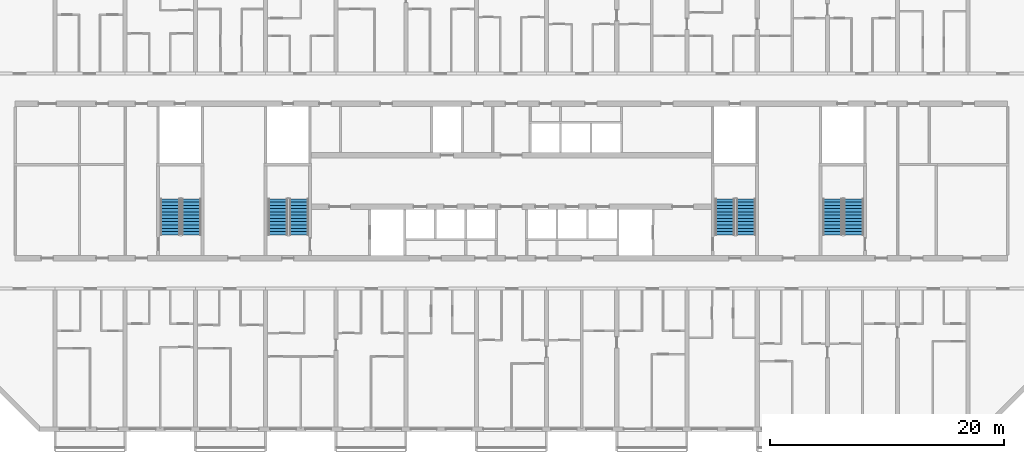
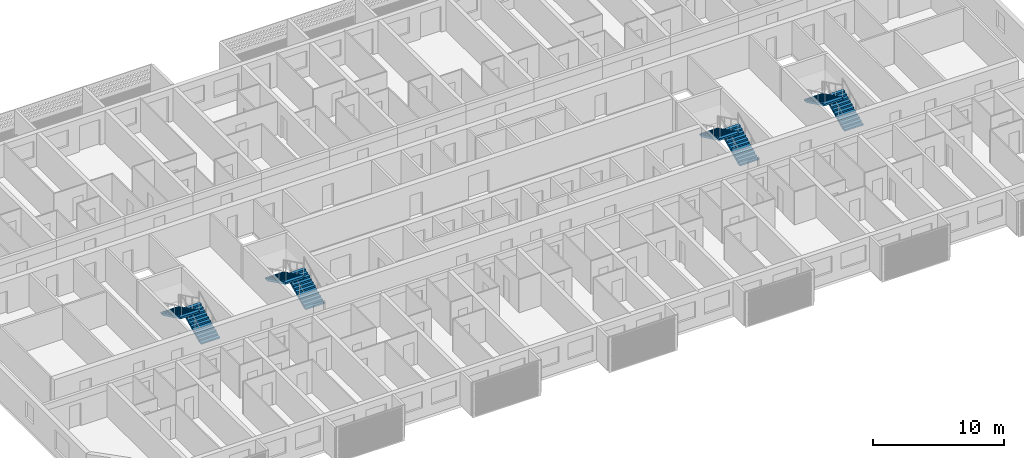
# One storey, part 16 of 27: 8 stair flights, 4 elements without a shape of their own.
"""IFC4 building model written with IfcOpenShell, lengths in metres."""

import ifcopenshell
import ifcopenshell.guid

model = None  # the IFC model being written
_history = None  # IfcOwnerHistory: only IFC2X3 demands one
_inside = {}  # id of a spatial element -> (the spatial element, [elements in it])
_under = {}  # id of a project, library or spatial element -> (it, [spatial elements below it])
_declared = {}  # id of a project -> (the project, [libraries it declares])
_typed = {}  # id of a type object -> (the type object, [elements of that type])
_made_of = {}  # id of a material, layer set ... -> (it, [elements and type objects made of it])


def new_model(schema):
    """Start an empty IFC model of exactly this schema.

    Asked for "IFC4X3", IfcOpenShell would pick the latest addendum, in which some entities
    have other attributes; the version numbers below select the first issue.
    IFC2X3 requires an IfcOwnerHistory on every rooted entity: one is made here for all.
    """
    global model, _history
    if schema == "IFC4X3":
        model = ifcopenshell.file(schema_version=(4, 3, 0, 0))
    else:
        model = ifcopenshell.file(schema=schema)
    _inside.clear()
    _under.clear()
    _declared.clear()
    _typed.clear()
    _made_of.clear()
    _history = None
    if model.schema == "IFC2X3":
        org = make("IfcOrganization", Name="unknown")
        user = make(
            "IfcPersonAndOrganization",
            ThePerson=make("IfcPerson", FamilyName="unknown"),
            TheOrganization=org,
        )
        app = make(
            "IfcApplication",
            ApplicationDeveloper=org,
            Version="unknown",
            ApplicationFullName="unknown",
            ApplicationIdentifier="unknown",
        )
        _history = make(
            "IfcOwnerHistory",
            OwningUser=user,
            OwningApplication=app,
            ChangeAction="ADDED",
            CreationDate=0,
        )
    return model


def make(cls, **values):
    """One entity of the class cls with the attributes given. An attribute that is None is left unset."""
    return model.create_entity(
        cls, **{name: value for name, value in values.items() if value is not None}
    )


def rooted(cls, **values):
    """An entity with a GlobalId (a new one), such as an element, a storey or a relation."""
    return make(cls, GlobalId=ifcopenshell.guid.new(), OwnerHistory=_history, **values)


def si_unit(unit_type, name, prefix=None):
    """IfcSIUnit, for example si_unit("LENGTHUNIT", "METRE", prefix="MILLI")."""
    return make("IfcSIUnit", UnitType=unit_type, Prefix=prefix, Name=name)


def assignment(units):
    """IfcUnitAssignment: the units of a project."""
    return None if units is None else make("IfcUnitAssignment", Units=units)


def point(xyz):
    """IfcCartesianPoint."""
    return None if xyz is None else make("IfcCartesianPoint", Coordinates=xyz)


def direction(xyz):
    """IfcDirection."""
    return None if xyz is None else make("IfcDirection", DirectionRatios=xyz)


def frame(location, z_axis=None, x_axis=None):
    """IfcAxis2Placement3D, a coordinate frame: its origin and axes. An axis left out is left unset."""
    return make(
        "IfcAxis2Placement3D",
        Location=point(location),
        Axis=direction(z_axis),
        RefDirection=direction(x_axis),
    )


def origin():
    """The frame at (0, 0, 0) with its axes left unset."""
    return frame((0.0, 0.0, 0.0))


def place(relative_to, where):
    """IfcLocalPlacement: puts the frame where relative to a parent placement (None: the world)."""
    return make(
        "IfcLocalPlacement", PlacementRelTo=relative_to, RelativePlacement=where
    )


def context(
    kind, dimensions, precision=None, world=None, true_north=None, identifier=None
):
    """IfcGeometricRepresentationContext, for example the 3D "Model" context."""
    return make(
        "IfcGeometricRepresentationContext",
        ContextIdentifier=identifier,
        ContextType=kind,
        CoordinateSpaceDimension=dimensions,
        Precision=precision,
        WorldCoordinateSystem=world,
        TrueNorth=true_north,
    )


def subcontext(parent, identifier, kind, view, scale=None):
    """IfcGeometricRepresentationSubContext, for example "Body" below "Model"."""
    return make(
        "IfcGeometricRepresentationSubContext",
        ContextIdentifier=identifier,
        ContextType=kind,
        ParentContext=parent,
        TargetScale=scale,
        TargetView=view,
    )


def project(units=None, contexts=None):
    """IfcProject with its units and contexts."""
    return rooted(
        "IfcProject",
        Name="project",
        RepresentationContexts=contexts,
        UnitsInContext=assignment(units),
    )


def spatial(cls, under=None, at=None, **own):
    """A site, building, storey or space (cls), placed at a placement, below another one or the project."""
    s = rooted(cls, ObjectPlacement=at, **own)
    if under is not None:
        _under.setdefault(under.id(), (under, []))[1].append(s)
    return s


def polyline(points):
    """IfcPolyline through the points."""
    return make("IfcPolyline", Points=[point(p) for p in points])


def outline(outer, holes=None, kind="AREA"):
    """IfcArbitraryClosedProfileDef: a profile drawn as a closed curve; with holes, ...WithVoids."""
    if holes is None:
        return make("IfcArbitraryClosedProfileDef", ProfileType=kind, OuterCurve=outer)
    return make(
        "IfcArbitraryProfileDefWithVoids",
        ProfileType=kind,
        OuterCurve=outer,
        InnerCurves=holes,
    )


def extrude(swept, where, along, depth):
    """IfcExtrudedAreaSolid: the profile swept, set in the frame where, extruded along a direction by depth."""
    return make(
        "IfcExtrudedAreaSolid",
        SweptArea=swept,
        Position=where,
        ExtrudedDirection=direction(along),
        Depth=depth,
    )


def shape(context_of_items, identifier, shape_type, items):
    """IfcShapeRepresentation: the items that make up one representation, for example the "Body"."""
    return make(
        "IfcShapeRepresentation",
        ContextOfItems=context_of_items,
        RepresentationIdentifier=identifier,
        RepresentationType=shape_type,
        Items=items,
    )


def material(Name=None, Category=None):
    """IfcMaterial."""
    return make("IfcMaterial", Name=Name, Category=Category)


def layer(
    of_material, thickness, ventilated=None, Name=None, Category=None, Priority=None
):
    """IfcMaterialLayer: one layer of a wall or slab, of a material (None: an air gap)."""
    return make(
        "IfcMaterialLayer",
        Material=of_material,
        LayerThickness=thickness,
        IsVentilated=ventilated,
        Name=Name,
        Category=Category,
        Priority=Priority,
    )


def layer_set(layers, Name=None):
    """IfcMaterialLayerSet."""
    return make("IfcMaterialLayerSet", MaterialLayers=layers, LayerSetName=Name)


def made_of(thing, what):
    """Note that an element or type object is made of a material, layer set ...; save() writes the relation."""
    if what is not None:
        _made_of.setdefault(what.id(), (what, []))[1].append(thing)
    return thing


def type_object(cls, material=None, **own):
    """A type object (cls), such as IfcWallType, which elements share."""
    return made_of(rooted(cls, **own), material)


def element(
    cls,
    number,
    at=None,
    inside=None,
    cuts=None,
    type_object=None,
    material=None,
    context=None,
    identifier="Body",
    shape_type=None,
    held_by="IfcProductDefinitionShape",
    body=None,
    shapes=None,
    **own,
):
    """One element of the class cls, such as IfcWall. Its Tag is "e" and its number.

    at: its placement. inside: the storey or other place that contains it. cuts: it is an
    opening in that element (IfcRelVoidsElement). A single representation is given by context,
    identifier, shape_type and body (its items); several are given by shapes. held_by: the class
    of the entity that holds the representations. save() writes the other relations.
    """
    e = rooted(cls, Tag="e%d" % number, ObjectPlacement=at, **own)
    if body is not None:
        shapes = [shape(context, identifier, shape_type, body)]
    if shapes is not None:
        e.Representation = make(held_by, Representations=shapes)
    if inside is not None:
        _inside.setdefault(inside.id(), (inside, []))[1].append(e)
    if cuts is not None:
        rooted(
            "IfcRelVoidsElement", RelatingBuildingElement=cuts, RelatedOpeningElement=e
        )
    if type_object is not None:
        _typed.setdefault(type_object.id(), (type_object, []))[1].append(e)
    return made_of(e, material)


def aggregate(whole, parts):
    """IfcRelAggregates: a whole, such as a stair, and the parts it consists of."""
    return rooted("IfcRelAggregates", RelatingObject=whole, RelatedObjects=parts)


def save(model, path):
    """Write the relations noted so far, then the file.

    IfcRelAggregates (storeys below a building ...), IfcRelContainedInSpatialStructure (elements
    in a storey), IfcRelDefinesByType, IfcRelAssociatesMaterial and IfcRelDeclares: one each for
    every whole, place, type object, material and project.
    """
    for whole, parts in _under.values():
        aggregate(whole, parts)
    for where, things in _inside.values():
        rooted(
            "IfcRelContainedInSpatialStructure",
            RelatedElements=things,
            RelatingStructure=where,
        )
    for kind, things in _typed.values():
        rooted("IfcRelDefinesByType", RelatedObjects=things, RelatingType=kind)
    for what, things in _made_of.values():
        rooted("IfcRelAssociatesMaterial", RelatedObjects=things, RelatingMaterial=what)
    for by, libraries in _declared.values():
        rooted("IfcRelDeclares", RelatingContext=by, RelatedDefinitions=libraries)
    model.write(path)


model = new_model("IFC4")

# Units and contexts
model_context = context("Model", 3, precision=1e-05, world=origin(), true_north=direction((0.0, 1.0)))
body_context = subcontext(model_context, "Body", "Model", "MODEL_VIEW")
ifc_project = project(units=[si_unit("LENGTHUNIT", "METRE"), si_unit("AREAUNIT", "SQUARE_METRE"), si_unit("VOLUMEUNIT", "CUBIC_METRE"), si_unit("PLANEANGLEUNIT", "RADIAN"), si_unit("MASSUNIT", "GRAM", prefix="KILO")], contexts=[model_context])

# Site, building, storey
site_placement = place(None, origin())
site = spatial("IfcSite", under=ifc_project, at=site_placement, CompositionType="ELEMENT")
building_placement = place(site_placement, origin())
building = spatial("IfcBuilding", under=site, at=building_placement, Name="Poui Terraces", CompositionType="ELEMENT")
storey_placement = place(building_placement, frame((0.0, 0.0, 76.199951171875)))
storey = spatial("IfcBuildingStorey", under=building, at=storey_placement, Name="L20", CompositionType="ELEMENT", Elevation=76.199951171875)

# Stair, stair flights
ifc_material = material(Name="Concrete 65 MPa", Category="concrete")
stair_type = type_object("IfcStairType", Name="EXIT STAIR 1650 65 MPA", PredefinedType="HALF_TURN_STAIR", material=ifc_material)
stair_1_placement = place(storey_placement, origin())
stair_1 = element("IfcStair", 1, at=stair_1_placement, inside=storey, type_object=stair_type, Name="L20 CORE STAIR EAST", PredefinedType="HALF_TURN_STAIR")
ifc_layer = layer(ifc_material, 0.14990234375)
ifc_layer_set = layer_set([ifc_layer], Name="Concrete 65 MPa")
stair_flight_type = type_object("IfcStairFlightType", Name="STAIR FLIGHT 12 RISERS 138 RISE 65 MPA", PredefinedType="STRAIGHT", material=ifc_layer_set)
stair_flight_1_placement = place(storey_placement, frame((71.050048828125, 16.60009765625, 0.0), z_axis=(0.0, 0.0, 1.0), x_axis=(0.0, 1.0, 0.0)))
stair_flight_1 = element("IfcStairFlight", 2, at=stair_flight_1_placement, type_object=stair_flight_type, Name="ST-CE flight 1", NumberOfRisers=12, NumberOfTreads=11, PredefinedType="STRAIGHT", RiserHeight=0.1375, TreadLength=0.28, context=body_context, shape_type="SweptSolid", body=[
    extrude(outline(polyline([(0.0, 0.0), (0.0, 0.137451171875), (0.280029296875, 0.137451171875), (0.280029296875, 0.27490234375), (0.56005859375, 0.27490234375), (0.56005859375, 0.41259765625), (0.840087890625, 0.41259765625), (0.840087890625, 0.550048828125), (1.1201171875, 0.550048828125), (1.1201171875, 0.6875), (1.39990234375, 0.6875), (1.39990234375, 0.824951171875), (1.679931640625, 0.824951171875), (1.679931640625, 0.96240234375), (1.9599609375, 0.96240234375), (1.9599609375, 1.10009765625), (2.239990234375, 1.10009765625), (2.239990234375, 1.237548828125), (2.52001953125, 1.237548828125), (2.52001953125, 1.375), (2.800048828125, 1.375), (2.800048828125, 1.512451171875), (3.080078125, 1.512451171875), (3.080078125, 1.64990234375), (3.080078125, 1.345458984375), (0.340087890625, 0.0), (0.0, 0.0)])), frame((0.0, 0.824951171875, 0.0), z_axis=(0.0, -1.0, 0.0), x_axis=(1.0, 0.0, 0.0)), (0.0, 0.0, 1.0), 1.64990234375),
])
stair_flight_2_placement = place(storey_placement, frame((69.25, 19.679931640625, 1.650146484375), z_axis=(0.0, 0.0, 1.0), x_axis=(0.0, -1.0, 0.0)))
stair_flight_2 = element("IfcStairFlight", 3, at=stair_flight_2_placement, type_object=stair_flight_type, Name="ST-CE flight 2", NumberOfRisers=12, NumberOfTreads=11, PredefinedType="STRAIGHT", RiserHeight=0.1375, TreadLength=0.28, context=body_context, shape_type="SweptSolid", body=[
    extrude(outline(polyline([(0.0, 0.0), (0.0, 0.137451171875), (0.280029296875, 0.137451171875), (0.280029296875, 0.27490234375), (0.56005859375, 0.27490234375), (0.56005859375, 0.41259765625), (0.840087890625, 0.41259765625), (0.840087890625, 0.550048828125), (1.1201171875, 0.550048828125), (1.1201171875, 0.6875), (1.39990234375, 0.6875), (1.39990234375, 0.824951171875), (1.679931640625, 0.824951171875), (1.679931640625, 0.96240234375), (1.9599609375, 0.96240234375), (1.9599609375, 1.10009765625), (2.239990234375, 1.10009765625), (2.239990234375, 1.237548828125), (2.52001953125, 1.237548828125), (2.52001953125, 1.375), (2.800048828125, 1.375), (2.800048828125, 1.512451171875), (3.080078125, 1.512451171875), (3.080078125, 1.64990234375), (3.080078125, 1.345458984375), (0.340087890625, 0.0), (0.0, 0.0)])), frame((0.0, 0.824951171875, 0.0), z_axis=(0.0, -1.0, 0.0), x_axis=(1.0, 0.0, 0.0)), (0.0, 0.0, 1.0), 1.64990234375),
])
aggregate(stair_1, [stair_flight_1, stair_flight_2])

stair_2_placement = place(storey_placement, origin())
stair_2 = element("IfcStair", 4, at=stair_2_placement, inside=storey, type_object=stair_type, Name="L20 CORE STAIR WEST", PredefinedType="HALF_TURN_STAIR")
stair_flight_3_placement = place(storey_placement, frame((32.85009765625, 16.60009765625, 0.0), z_axis=(0.0, 0.0, 1.0), x_axis=(0.0, 1.0, 0.0)))
stair_flight_3 = element("IfcStairFlight", 5, at=stair_flight_3_placement, type_object=stair_flight_type, Name="ST-CW flight 1", NumberOfRisers=12, NumberOfTreads=11, PredefinedType="STRAIGHT", RiserHeight=0.1375, TreadLength=0.28, context=body_context, shape_type="SweptSolid", body=[
    extrude(outline(polyline([(0.0, 0.0), (0.0, 0.137451171875), (0.280029296875, 0.137451171875), (0.280029296875, 0.27490234375), (0.56005859375, 0.27490234375), (0.56005859375, 0.41259765625), (0.840087890625, 0.41259765625), (0.840087890625, 0.550048828125), (1.1201171875, 0.550048828125), (1.1201171875, 0.6875), (1.39990234375, 0.6875), (1.39990234375, 0.824951171875), (1.679931640625, 0.824951171875), (1.679931640625, 0.96240234375), (1.9599609375, 0.96240234375), (1.9599609375, 1.10009765625), (2.239990234375, 1.10009765625), (2.239990234375, 1.237548828125), (2.52001953125, 1.237548828125), (2.52001953125, 1.375), (2.800048828125, 1.375), (2.800048828125, 1.512451171875), (3.080078125, 1.512451171875), (3.080078125, 1.64990234375), (3.080078125, 1.345458984375), (0.340087890625, 0.0), (0.0, 0.0)])), frame((0.0, 0.824951171875, 0.0), z_axis=(0.0, -1.0, 0.0), x_axis=(1.0, 0.0, 0.0)), (0.0, 0.0, 1.0), 1.64990234375),
])
stair_flight_4_placement = place(storey_placement, frame((31.050048828125, 19.679931640625, 1.650146484375), z_axis=(0.0, 0.0, 1.0), x_axis=(0.0, -1.0, 0.0)))
stair_flight_4 = element("IfcStairFlight", 6, at=stair_flight_4_placement, type_object=stair_flight_type, Name="ST-CW flight 2", NumberOfRisers=12, NumberOfTreads=11, PredefinedType="STRAIGHT", RiserHeight=0.1375, TreadLength=0.28, context=body_context, shape_type="SweptSolid", body=[
    extrude(outline(polyline([(0.0, 0.0), (0.0, 0.137451171875), (0.280029296875, 0.137451171875), (0.280029296875, 0.27490234375), (0.56005859375, 0.27490234375), (0.56005859375, 0.41259765625), (0.840087890625, 0.41259765625), (0.840087890625, 0.550048828125), (1.1201171875, 0.550048828125), (1.1201171875, 0.6875), (1.39990234375, 0.6875), (1.39990234375, 0.824951171875), (1.679931640625, 0.824951171875), (1.679931640625, 0.96240234375), (1.9599609375, 0.96240234375), (1.9599609375, 1.10009765625), (2.239990234375, 1.10009765625), (2.239990234375, 1.237548828125), (2.52001953125, 1.237548828125), (2.52001953125, 1.375), (2.800048828125, 1.375), (2.800048828125, 1.512451171875), (3.080078125, 1.512451171875), (3.080078125, 1.64990234375), (3.080078125, 1.345458984375), (0.340087890625, 0.0), (0.0, 0.0)])), frame((0.0, 0.824951171875, 0.0), z_axis=(0.0, -1.0, 0.0), x_axis=(1.0, 0.0, 0.0)), (0.0, 0.0, 1.0), 1.64990234375),
])
aggregate(stair_2, [stair_flight_3, stair_flight_4])

stair_3_placement = place(storey_placement, origin())
stair_3 = element("IfcStair", 7, at=stair_3_placement, inside=storey, type_object=stair_type, Name="L20 TIP STAIR EAST", PredefinedType="HALF_TURN_STAIR")
stair_flight_5_placement = place(storey_placement, frame((80.25, 16.60009765625, 0.0), z_axis=(0.0, 0.0, 1.0), x_axis=(0.0, 1.0, 0.0)))
stair_flight_5 = element("IfcStairFlight", 8, at=stair_flight_5_placement, type_object=stair_flight_type, Name="ST-E flight 1", NumberOfRisers=12, NumberOfTreads=11, PredefinedType="STRAIGHT", RiserHeight=0.1375, TreadLength=0.28, context=body_context, shape_type="SweptSolid", body=[
    extrude(outline(polyline([(0.0, 0.0), (0.0, 0.137451171875), (0.280029296875, 0.137451171875), (0.280029296875, 0.27490234375), (0.56005859375, 0.27490234375), (0.56005859375, 0.41259765625), (0.840087890625, 0.41259765625), (0.840087890625, 0.550048828125), (1.1201171875, 0.550048828125), (1.1201171875, 0.6875), (1.39990234375, 0.6875), (1.39990234375, 0.824951171875), (1.679931640625, 0.824951171875), (1.679931640625, 0.96240234375), (1.9599609375, 0.96240234375), (1.9599609375, 1.10009765625), (2.239990234375, 1.10009765625), (2.239990234375, 1.237548828125), (2.52001953125, 1.237548828125), (2.52001953125, 1.375), (2.800048828125, 1.375), (2.800048828125, 1.512451171875), (3.080078125, 1.512451171875), (3.080078125, 1.64990234375), (3.080078125, 1.345458984375), (0.340087890625, 0.0), (0.0, 0.0)])), frame((0.0, 0.824951171875, 0.0), z_axis=(0.0, -1.0, 0.0), x_axis=(1.0, 0.0, 0.0)), (0.0, 0.0, 1.0), 1.64990234375),
])
stair_flight_6_placement = place(storey_placement, frame((78.449951171875, 19.679931640625, 1.650146484375), z_axis=(0.0, 0.0, 1.0), x_axis=(0.0, -1.0, 0.0)))
stair_flight_6 = element("IfcStairFlight", 9, at=stair_flight_6_placement, type_object=stair_flight_type, Name="ST-E flight 2", NumberOfRisers=12, NumberOfTreads=11, PredefinedType="STRAIGHT", RiserHeight=0.1375, TreadLength=0.28, context=body_context, shape_type="SweptSolid", body=[
    extrude(outline(polyline([(0.0, 0.0), (0.0, 0.137451171875), (0.280029296875, 0.137451171875), (0.280029296875, 0.27490234375), (0.56005859375, 0.27490234375), (0.56005859375, 0.41259765625), (0.840087890625, 0.41259765625), (0.840087890625, 0.550048828125), (1.1201171875, 0.550048828125), (1.1201171875, 0.6875), (1.39990234375, 0.6875), (1.39990234375, 0.824951171875), (1.679931640625, 0.824951171875), (1.679931640625, 0.96240234375), (1.9599609375, 0.96240234375), (1.9599609375, 1.10009765625), (2.239990234375, 1.10009765625), (2.239990234375, 1.237548828125), (2.52001953125, 1.237548828125), (2.52001953125, 1.375), (2.800048828125, 1.375), (2.800048828125, 1.512451171875), (3.080078125, 1.512451171875), (3.080078125, 1.64990234375), (3.080078125, 1.345458984375), (0.340087890625, 0.0), (0.0, 0.0)])), frame((0.0, 0.824951171875, 0.0), z_axis=(0.0, -1.0, 0.0), x_axis=(1.0, 0.0, 0.0)), (0.0, 0.0, 1.0), 1.64990234375),
])
aggregate(stair_3, [stair_flight_5, stair_flight_6])

stair_4_placement = place(storey_placement, origin())
stair_4 = element("IfcStair", 10, at=stair_4_placement, inside=storey, type_object=stair_type, Name="L20 TIP STAIR WEST", PredefinedType="HALF_TURN_STAIR")
stair_flight_7_placement = place(storey_placement, frame((23.64990234375, 16.60009765625, 0.0), z_axis=(0.0, 0.0, 1.0), x_axis=(0.0, 1.0, 0.0)))
stair_flight_7 = element("IfcStairFlight", 11, at=stair_flight_7_placement, type_object=stair_flight_type, Name="ST-W flight 1", NumberOfRisers=12, NumberOfTreads=11, PredefinedType="STRAIGHT", RiserHeight=0.1375, TreadLength=0.28, context=body_context, shape_type="SweptSolid", body=[
    extrude(outline(polyline([(0.0, 0.0), (0.0, 0.137451171875), (0.280029296875, 0.137451171875), (0.280029296875, 0.27490234375), (0.56005859375, 0.27490234375), (0.56005859375, 0.41259765625), (0.840087890625, 0.41259765625), (0.840087890625, 0.550048828125), (1.1201171875, 0.550048828125), (1.1201171875, 0.6875), (1.39990234375, 0.6875), (1.39990234375, 0.824951171875), (1.679931640625, 0.824951171875), (1.679931640625, 0.96240234375), (1.9599609375, 0.96240234375), (1.9599609375, 1.10009765625), (2.239990234375, 1.10009765625), (2.239990234375, 1.237548828125), (2.52001953125, 1.237548828125), (2.52001953125, 1.375), (2.800048828125, 1.375), (2.800048828125, 1.512451171875), (3.080078125, 1.512451171875), (3.080078125, 1.64990234375), (3.080078125, 1.345458984375), (0.340087890625, 0.0), (0.0, 0.0)])), frame((0.0, 0.824951171875, 0.0), z_axis=(0.0, -1.0, 0.0), x_axis=(1.0, 0.0, 0.0)), (0.0, 0.0, 1.0), 1.64990234375),
])
stair_flight_8_placement = place(storey_placement, frame((21.85009765625, 19.679931640625, 1.650146484375), z_axis=(0.0, 0.0, 1.0), x_axis=(0.0, -1.0, 0.0)))
stair_flight_8 = element("IfcStairFlight", 12, at=stair_flight_8_placement, type_object=stair_flight_type, Name="ST-W flight 2", NumberOfRisers=12, NumberOfTreads=11, PredefinedType="STRAIGHT", RiserHeight=0.1375, TreadLength=0.28, context=body_context, shape_type="SweptSolid", body=[
    extrude(outline(polyline([(0.0, 0.0), (0.0, 0.137451171875), (0.280029296875, 0.137451171875), (0.280029296875, 0.27490234375), (0.56005859375, 0.27490234375), (0.56005859375, 0.41259765625), (0.840087890625, 0.41259765625), (0.840087890625, 0.550048828125), (1.1201171875, 0.550048828125), (1.1201171875, 0.6875), (1.39990234375, 0.6875), (1.39990234375, 0.824951171875), (1.679931640625, 0.824951171875), (1.679931640625, 0.96240234375), (1.9599609375, 0.96240234375), (1.9599609375, 1.10009765625), (2.239990234375, 1.10009765625), (2.239990234375, 1.237548828125), (2.52001953125, 1.237548828125), (2.52001953125, 1.375), (2.800048828125, 1.375), (2.800048828125, 1.512451171875), (3.080078125, 1.512451171875), (3.080078125, 1.64990234375), (3.080078125, 1.345458984375), (0.340087890625, 0.0), (0.0, 0.0)])), frame((0.0, 0.824951171875, 0.0), z_axis=(0.0, -1.0, 0.0), x_axis=(1.0, 0.0, 0.0)), (0.0, 0.0, 1.0), 1.64990234375),
])
aggregate(stair_4, [stair_flight_7, stair_flight_8])

save(model, "model.ifc")
